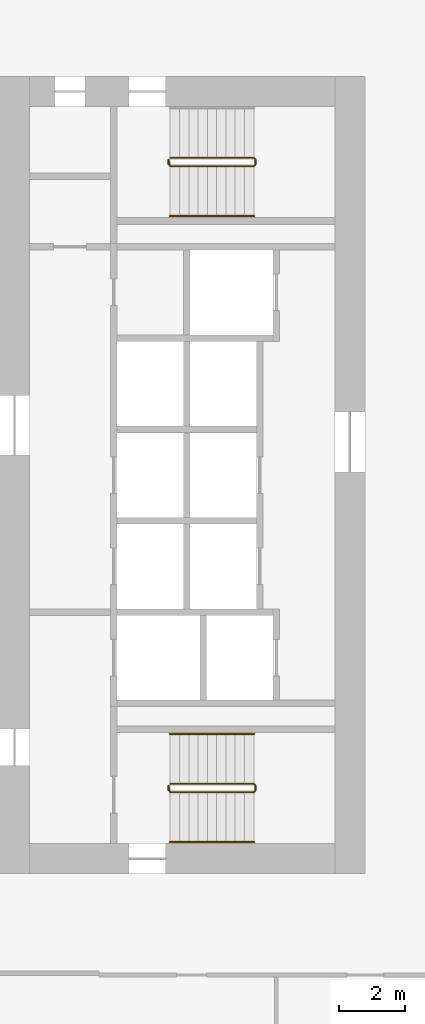
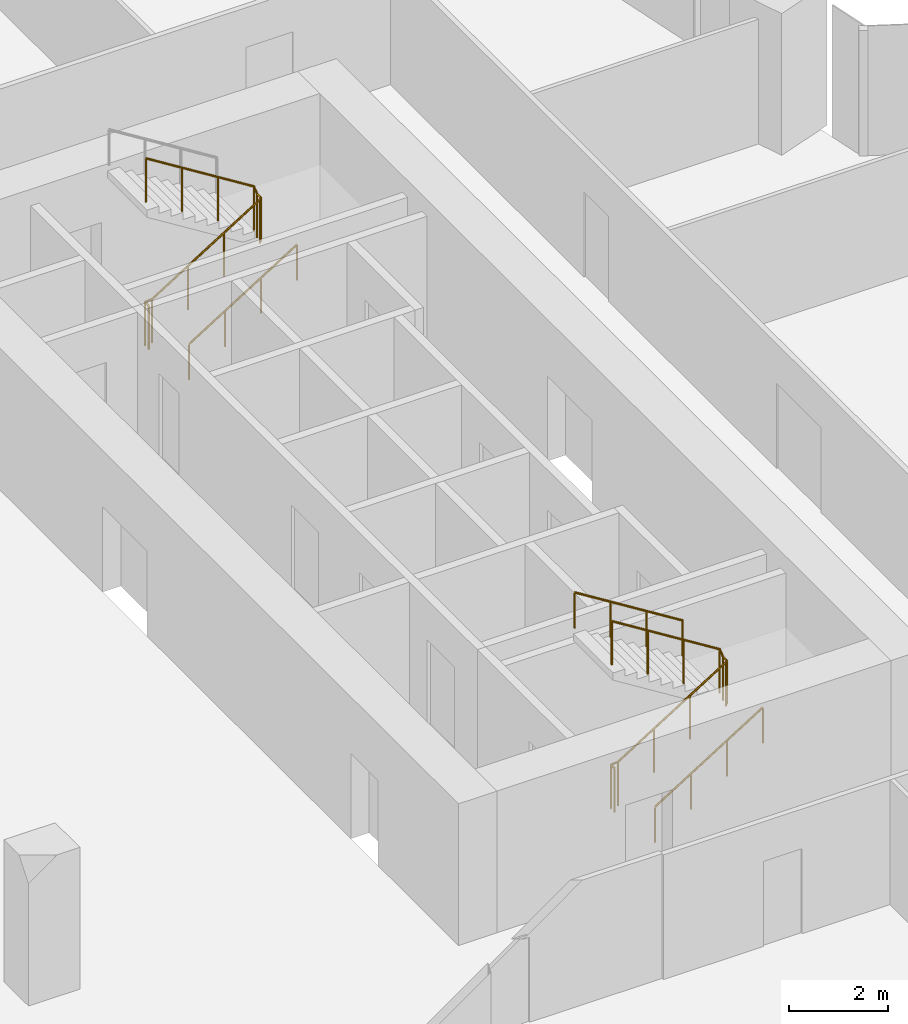
# One storey, part 36 of 38: 5 railings.
"""IFC4 building model written with IfcOpenShell, lengths in metres."""

from ifc_helpers import new_model, si_unit, direction, frame, origin, origin_2d, place, context, subcontext, project, spatial, circle, extrude, material, type_object, element, save


model = new_model("IFC4")

# Units and contexts
model_context = context("Model", 3, precision=1e-05, world=origin(), true_north=direction((0.0, 1.0)))
body_context = subcontext(model_context, "Body", "Model", "MODEL_VIEW")
ifc_project = project(units=[si_unit("LENGTHUNIT", "METRE"), si_unit("AREAUNIT", "SQUARE_METRE"), si_unit("VOLUMEUNIT", "CUBIC_METRE"), si_unit("PLANEANGLEUNIT", "RADIAN"), si_unit("MASSUNIT", "GRAM", prefix="KILO")], contexts=[model_context])

# Site, building, storey
site_placement = place(None, origin())
site = spatial("IfcSite", under=ifc_project, at=site_placement, CompositionType="ELEMENT")
building_placement = place(site_placement, origin())
building = spatial("IfcBuilding", under=site, at=building_placement, Name="Orlundy Tower", CompositionType="ELEMENT")
storey_placement = place(building_placement, frame((0.0, 0.0, 65.800048828125)))
storey = spatial("IfcBuildingStorey", under=building, at=storey_placement, Name="L15", CompositionType="ELEMENT", Elevation=65.800048828125)

# Railings
ifc_material_1 = material(Name="Steel balustrade", Category="steel")
railing_type_1 = type_object("IfcRailingType", Name="Stair Guard 1100", PredefinedType="GUARDRAIL", material=ifc_material_1)
railing_1_placement = place(storey_placement, frame((13.090087890625, -9.5, 0.0)))
element("IfcRailing", 1, at=railing_1_placement, inside=storey, type_object=railing_type_1, Name="L15 ST-E1 stair guard 1", PredefinedType="GUARDRAIL", context=body_context, shape_type="SweptSolid", body=[
    extrude(circle(Radius=0.02392578125, at=origin_2d()), frame((0.0, 0.0, 1.076171875), z_axis=(0.0, 1.0, 0.0), x_axis=(-1.0, 0.0, 0.0)), (0.0, 0.0, 1.0), 0.14990234375),
    extrude(circle(Radius=0.02392578125, at=origin_2d()), frame((0.0, 0.14990234375, 1.076171875), z_axis=(0.18420542264, -0.739530593833, 0.647427882513), x_axis=(0.970351222016, 0.241699205484, 0.0)), (0.0, 0.0, 1.0), 0.270263671875),
    extrude(circle(Radius=0.02392578125, at=origin_2d()), frame((0.0498046875, -0.050048828125, 1.2509765625), z_axis=(0.848007534815, 0.0, 0.529984170421), x_axis=(0.0, 1.0, 0.0)), (0.0, 0.0, 1.0), 2.9716796875),
    extrude(circle(Radius=0.02392578125, at=origin_2d()), frame((2.56982421875, -0.050048828125, 2.826171875), z_axis=(0.707106781187, 0.707106781187, 0.0), x_axis=(-0.707106781187, 0.707106781187, 0.0)), (0.0, 0.0, 1.0), 0.07080078125),
    extrude(circle(Radius=0.02392578125, at=origin_2d()), frame((2.619873046875, 0.0, 2.826171875), z_axis=(0.0, 1.0, 0.0), x_axis=(-1.0, 0.0, 0.0)), (0.0, 0.0, 1.0), 0.14990234375),
    extrude(circle(Radius=0.02392578125, at=origin_2d()), frame((2.619873046875, 0.14990234375, 2.826171875), z_axis=(-0.265065253269, 0.265065253269, 0.927081885822), x_axis=(-0.707106781187, -0.707106781187, 0.0)), (0.0, 0.0, 1.0), 0.188720703125),
    extrude(circle(Radius=0.02392578125, at=origin_2d()), frame((2.56982421875, 0.199951171875, 3.0009765625), z_axis=(-0.848007534815, 0.0, 0.529984170421), x_axis=(0.0, -1.0, 0.0)), (0.0, 0.0, 1.0), 2.9716796875),
    extrude(circle(Radius=0.02099609375, at=origin_2d()), origin(), (0.0, 0.0, 1.0), 1.052001953125),
    extrude(circle(Radius=0.02099609375, at=origin_2d()), frame((0.0, 0.14990234375, 0.0)), (0.0, 0.0, 1.0), 1.052001953125),
    extrude(circle(Radius=0.02099609375, at=origin_2d()), frame((0.0498046875, -0.050048828125, 0.175048828125)), (0.0, 0.0, 1.0), 1.052001953125),
    extrude(circle(Radius=0.02099609375, at=origin_2d()), frame((0.889892578125, -0.050048828125, 0.699951171875)), (0.0, 0.0, 1.0), 1.052001953125),
    extrude(circle(Radius=0.02099609375, at=origin_2d()), frame((1.729736328125, -0.050048828125, 1.22509765625)), (0.0, 0.0, 1.0), 1.052001953125),
    extrude(circle(Radius=0.02099609375, at=origin_2d()), frame((2.56982421875, -0.050048828125, 1.75)), (0.0, 0.0, 1.0), 1.052001953125),
    extrude(circle(Radius=0.02099609375, at=origin_2d()), frame((2.619873046875, 0.0, 1.75)), (0.0, 0.0, 1.0), 1.052001953125),
    extrude(circle(Radius=0.02099609375, at=origin_2d()), frame((2.619873046875, 0.14990234375, 1.75)), (0.0, 0.0, 1.0), 1.052001953125),
    extrude(circle(Radius=0.02099609375, at=origin_2d()), frame((2.56982421875, 0.199951171875, 1.925048828125)), (0.0, 0.0, 1.0), 1.052001953125),
    extrude(circle(Radius=0.02099609375, at=origin_2d()), frame((1.729736328125, 0.199951171875, 2.449951171875)), (0.0, 0.0, 1.0), 1.052001953125),
    extrude(circle(Radius=0.02099609375, at=origin_2d()), frame((0.889892578125, 0.199951171875, 2.97509765625)), (0.0, 0.0, 1.0), 1.052001953125),
    extrude(circle(Radius=0.02099609375, at=origin_2d()), frame((0.0498046875, 0.199951171875, 3.5)), (0.0, 0.0, 1.0), 1.052001953125),
])
railing_2_placement = place(storey_placement, frame((13.090087890625, 9.35009765625, 0.0)))
element("IfcRailing", 2, at=railing_2_placement, inside=storey, type_object=railing_type_1, Name="L15 ST-E2 stair guard 1", PredefinedType="GUARDRAIL", context=body_context, shape_type="SweptSolid", body=[
    extrude(circle(Radius=0.02392578125, at=origin_2d()), frame((0.0, 0.0, 1.076171875), z_axis=(0.0, 1.0, 0.0), x_axis=(-1.0, 0.0, 0.0)), (0.0, 0.0, 1.0), 0.14990234375),
    extrude(circle(Radius=0.02392578125, at=origin_2d()), frame((0.0, 0.14990234375, 1.076171875), z_axis=(0.18420542264, -0.739530593833, 0.647427882513), x_axis=(0.970351222016, 0.241699205484, 0.0)), (0.0, 0.0, 1.0), 0.270263671875),
    extrude(circle(Radius=0.02392578125, at=origin_2d()), frame((0.0498046875, -0.050048828125, 1.2509765625), z_axis=(0.848007534815, 0.0, 0.529984170421), x_axis=(0.0, 1.0, 0.0)), (0.0, 0.0, 1.0), 2.9716796875),
    extrude(circle(Radius=0.02392578125, at=origin_2d()), frame((2.56982421875, -0.050048828125, 2.826171875), z_axis=(0.707106781187, 0.707106781187, 0.0), x_axis=(-0.707106781187, 0.707106781187, 0.0)), (0.0, 0.0, 1.0), 0.07080078125),
    extrude(circle(Radius=0.02392578125, at=origin_2d()), frame((2.619873046875, 0.0, 2.826171875), z_axis=(0.0, 1.0, 0.0), x_axis=(-1.0, 0.0, 0.0)), (0.0, 0.0, 1.0), 0.14990234375),
    extrude(circle(Radius=0.02392578125, at=origin_2d()), frame((2.619873046875, 0.14990234375, 2.826171875), z_axis=(-0.265065253269, 0.265065253269, 0.927081885822), x_axis=(-0.707106781187, -0.707106781187, 0.0)), (0.0, 0.0, 1.0), 0.188720703125),
    extrude(circle(Radius=0.02392578125, at=origin_2d()), frame((2.56982421875, 0.199951171875, 3.0009765625), z_axis=(-0.848007534815, 0.0, 0.529984170421), x_axis=(0.0, -1.0, 0.0)), (0.0, 0.0, 1.0), 2.9716796875),
    extrude(circle(Radius=0.02099609375, at=origin_2d()), origin(), (0.0, 0.0, 1.0), 1.052001953125),
    extrude(circle(Radius=0.02099609375, at=origin_2d()), frame((0.0, 0.14990234375, 0.0)), (0.0, 0.0, 1.0), 1.052001953125),
    extrude(circle(Radius=0.02099609375, at=origin_2d()), frame((0.0498046875, -0.050048828125, 0.175048828125)), (0.0, 0.0, 1.0), 1.052001953125),
    extrude(circle(Radius=0.02099609375, at=origin_2d()), frame((0.889892578125, -0.050048828125, 0.699951171875)), (0.0, 0.0, 1.0), 1.052001953125),
    extrude(circle(Radius=0.02099609375, at=origin_2d()), frame((1.729736328125, -0.050048828125, 1.22509765625)), (0.0, 0.0, 1.0), 1.052001953125),
    extrude(circle(Radius=0.02099609375, at=origin_2d()), frame((2.56982421875, -0.050048828125, 1.75)), (0.0, 0.0, 1.0), 1.052001953125),
    extrude(circle(Radius=0.02099609375, at=origin_2d()), frame((2.619873046875, 0.0, 1.75)), (0.0, 0.0, 1.0), 1.052001953125),
    extrude(circle(Radius=0.02099609375, at=origin_2d()), frame((2.619873046875, 0.14990234375, 1.75)), (0.0, 0.0, 1.0), 1.052001953125),
    extrude(circle(Radius=0.02099609375, at=origin_2d()), frame((2.56982421875, 0.199951171875, 1.925048828125)), (0.0, 0.0, 1.0), 1.052001953125),
    extrude(circle(Radius=0.02099609375, at=origin_2d()), frame((1.729736328125, 0.199951171875, 2.449951171875)), (0.0, 0.0, 1.0), 1.052001953125),
    extrude(circle(Radius=0.02099609375, at=origin_2d()), frame((0.889892578125, 0.199951171875, 2.97509765625)), (0.0, 0.0, 1.0), 1.052001953125),
    extrude(circle(Radius=0.02099609375, at=origin_2d()), frame((0.0498046875, 0.199951171875, 3.5)), (0.0, 0.0, 1.0), 1.052001953125),
])
ifc_material_2 = material(Name="Steel handrail", Category="steel")
railing_type_2 = type_object("IfcRailingType", Name="Stair Handrail 900", PredefinedType="HANDRAIL", material=ifc_material_2)
railing_3_placement = place(storey_placement, frame((13.139892578125, -11.050048828125, 0.175048828125)))
element("IfcRailing", 3, at=railing_3_placement, inside=storey, type_object=railing_type_2, Name="L15 ST-E1 stair handrail 1", PredefinedType="HANDRAIL", context=body_context, shape_type="SweptSolid", body=[
    extrude(circle(Radius=0.02392578125, at=origin_2d()), frame((0.0, 0.0, 0.8759765625), z_axis=(0.848007534815, 0.0, 0.529984170421), x_axis=(0.0, 1.0, 0.0)), (0.0, 0.0, 1.0), 2.9716796875),
    extrude(circle(Radius=0.02099609375, at=origin_2d()), origin(), (0.0, 0.0, 1.0), 0.851806640625),
    extrude(circle(Radius=0.02099609375, at=origin_2d()), frame((0.840087890625, 0.0, 0.52490234375)), (0.0, 0.0, 1.0), 0.851806640625),
    extrude(circle(Radius=0.02099609375, at=origin_2d()), frame((1.679931640625, 0.0, 1.050048828125)), (0.0, 0.0, 1.0), 0.851806640625),
    extrude(circle(Radius=0.02099609375, at=origin_2d()), frame((2.52001953125, 0.0, 1.574951171875)), (0.0, 0.0, 1.0), 0.851806640625),
])
railing_4_placement = place(storey_placement, frame((15.659912109375, -7.800048828125, 1.925048828125)))
element("IfcRailing", 4, at=railing_4_placement, inside=storey, type_object=railing_type_2, Name="L15 ST-E1 stair handrail 2", PredefinedType="HANDRAIL", context=body_context, shape_type="SweptSolid", body=[
    extrude(circle(Radius=0.02392578125, at=origin_2d()), frame((0.0, 0.0, 0.8759765625), z_axis=(-0.848007534815, 0.0, 0.529984170421), x_axis=(0.0, -1.0, 0.0)), (0.0, 0.0, 1.0), 2.9716796875),
    extrude(circle(Radius=0.02099609375, at=origin_2d()), origin(), (0.0, 0.0, 1.0), 0.851806640625),
    extrude(circle(Radius=0.02099609375, at=origin_2d()), frame((-0.840087890625, 0.0, 0.52490234375)), (0.0, 0.0, 1.0), 0.851806640625),
    extrude(circle(Radius=0.02099609375, at=origin_2d()), frame((-1.679931640625, 0.0, 1.050048828125)), (0.0, 0.0, 1.0), 0.851806640625),
    extrude(circle(Radius=0.02099609375, at=origin_2d()), frame((-2.52001953125, 0.0, 1.574951171875)), (0.0, 0.0, 1.0), 0.851806640625),
])
railing_5_placement = place(storey_placement, frame((13.139892578125, 7.800048828125, 0.175048828125)))
element("IfcRailing", 5, at=railing_5_placement, inside=storey, type_object=railing_type_2, Name="L15 ST-E2 stair handrail 1", PredefinedType="HANDRAIL", context=body_context, shape_type="SweptSolid", body=[
    extrude(circle(Radius=0.02392578125, at=origin_2d()), frame((0.0, 0.0, 0.8759765625), z_axis=(0.848007534815, 0.0, 0.529984170421), x_axis=(0.0, 1.0, 0.0)), (0.0, 0.0, 1.0), 2.9716796875),
    extrude(circle(Radius=0.02099609375, at=origin_2d()), origin(), (0.0, 0.0, 1.0), 0.851806640625),
    extrude(circle(Radius=0.02099609375, at=origin_2d()), frame((0.840087890625, 0.0, 0.52490234375)), (0.0, 0.0, 1.0), 0.851806640625),
    extrude(circle(Radius=0.02099609375, at=origin_2d()), frame((1.679931640625, 0.0, 1.050048828125)), (0.0, 0.0, 1.0), 0.851806640625),
    extrude(circle(Radius=0.02099609375, at=origin_2d()), frame((2.52001953125, 0.0, 1.574951171875)), (0.0, 0.0, 1.0), 0.851806640625),
])

save(model, "model.ifc")
